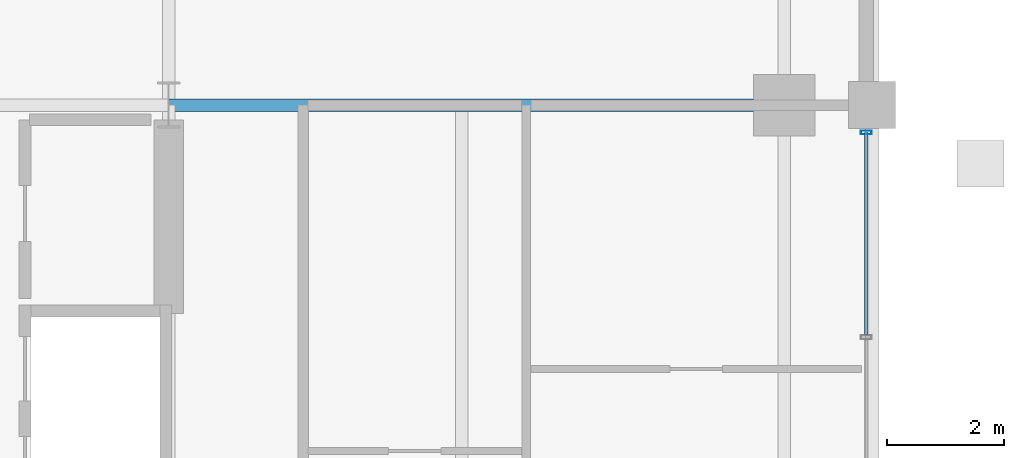
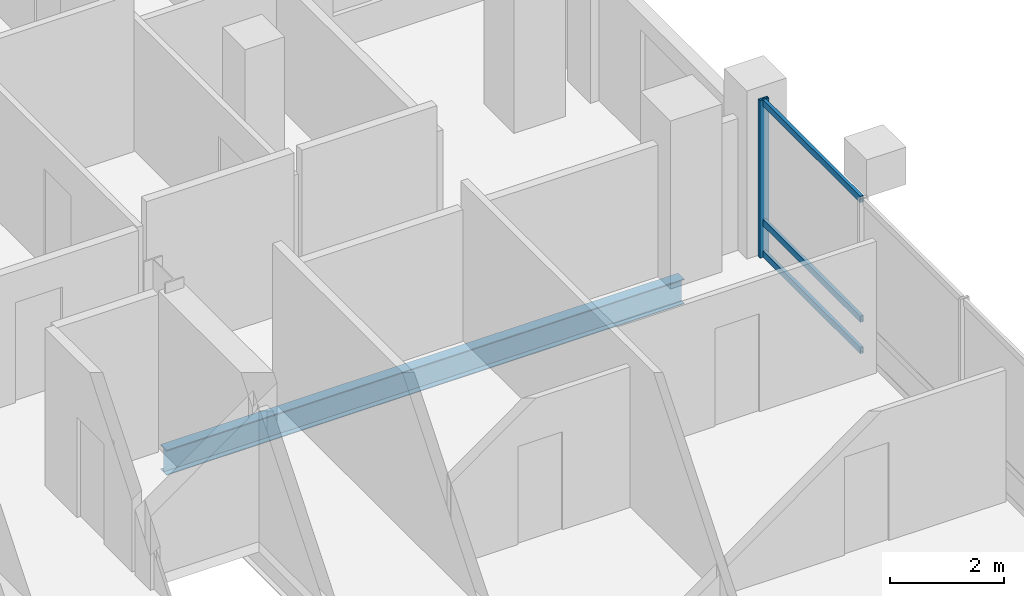
# One storey, part 11 of 24: 4 members, 1 beam, 1 element without a shape of its own.
"""IFC4 building model written with IfcOpenShell, lengths in metres."""

from ifc_helpers import new_model, si_unit, direction, frame, origin, origin_2d, place, context, subcontext, project, spatial, hollow_rectangle, i_section, extrude, material, layer, layer_set, material_profile, profile_set, type_object, element, aggregate, save


model = new_model("IFC4")

# Units and contexts
model_context = context("Model", 3, precision=1e-05, world=origin(), true_north=direction((0.0, 1.0)))
body_context = subcontext(model_context, "Body", "Model", "MODEL_VIEW")
ifc_project = project(units=[si_unit("LENGTHUNIT", "METRE"), si_unit("AREAUNIT", "SQUARE_METRE"), si_unit("VOLUMEUNIT", "CUBIC_METRE"), si_unit("PLANEANGLEUNIT", "RADIAN"), si_unit("MASSUNIT", "GRAM", prefix="KILO")], contexts=[model_context])

# Site, building, storey
site_placement = place(None, origin())
site = spatial("IfcSite", under=ifc_project, at=site_placement, CompositionType="ELEMENT")
building_placement = place(site_placement, origin())
building = spatial("IfcBuilding", under=site, at=building_placement, Name="Barlavira Tower and Art Museum", CompositionType="ELEMENT")
storey_placement = place(building_placement, frame((0.0, 0.0, 169.199951171875)))
storey = spatial("IfcBuildingStorey", under=building, at=storey_placement, Name="L43", CompositionType="ELEMENT", Elevation=169.199951171875)

# Curtain wall, members
ifc_material_1 = material(Name="Low-iron coastal laminated glass", Category="glass")
ifc_layer = layer(ifc_material_1, 0.199951171875, Name="Low-iron coastal laminated glass")
ifc_layer_set = layer_set([ifc_layer], Name="Low-iron coastal laminated glass")
curtain_wall_type = type_object("IfcCurtainWallType", Name="Pale-Metal Unitised Curtain Wall Zone 3", PredefinedType="NOTDEFINED", material=ifc_layer_set)
curtain_wall_placement = place(storey_placement, origin())
curtain_wall = element("IfcCurtainWall", 1, at=curtain_wall_placement, inside=storey, type_object=curtain_wall_type, Name="L43 Curtain Wall CW3-L43-E-B3", PredefinedType="NOTDEFINED")
ifc_material_2 = material(Name="Pale anodised aluminium", Category="aluminium")
ifc_material_profile_1 = material_profile(ifc_material_2, hollow_rectangle(XDim=0.06494140625, YDim=0.179931640625, WallThickness=0.00390625, at=origin_2d()), Name="ALU-MULL 65x180x4")
ifc_profile_set_1 = profile_set([ifc_material_profile_1], Name="Pale anodised aluminium")
member_type_1 = type_object("IfcMemberType", Name="Curtain Wall Pale-Metal Mullion 65x180", PredefinedType="MULLION", material=ifc_profile_set_1)
member_1_placement = place(storey_placement, frame((18.39990234375, 7.034912109375, 0.0), z_axis=(0.0, 0.0, 1.0), x_axis=(0.0, 1.0, 0.0)))
member_1 = element("IfcMember", 2, at=member_1_placement, type_object=member_type_1, Name="CW3-L43-E-B3 Mullion 4", PredefinedType="MULLION", context=body_context, shape_type="SweptSolid", body=[
    extrude(hollow_rectangle(XDim=0.06494140625, YDim=0.179931640625, WallThickness=0.00390625, at=origin_2d()), origin(), (0.0, 0.0, 1.0), 3.380126953125),
])
ifc_material_profile_2 = material_profile(ifc_material_2, hollow_rectangle(XDim=0.06494140625, YDim=0.139892578125, WallThickness=0.00390625, at=origin_2d()), Name="ALU-TRAN 65x140x4")
ifc_profile_set_2 = profile_set([ifc_material_profile_2], Name="Pale anodised aluminium")
member_type_2 = type_object("IfcMemberType", Name="Curtain Wall Pale-Metal Transom 65x140", PredefinedType="USERDEFINED", material=ifc_profile_set_2)
member_2_placement = place(storey_placement, frame((18.39990234375, 3.5849609375, 0.070068359375), z_axis=(0.0, 1.0, 0.0), x_axis=(-1.0, 0.0, 0.0)))
member_2 = element("IfcMember", 3, at=member_2_placement, type_object=member_type_2, Name="CW3-L43-E-B3 Transom 3.1", ObjectType="TRANSOM", PredefinedType="USERDEFINED", context=body_context, shape_type="SweptSolid", body=[
    extrude(hollow_rectangle(XDim=0.06494140625, YDim=0.139892578125, WallThickness=0.00390625, at=origin_2d()), origin(), (0.0, 0.0, 1.0), 3.449951171875),
])
member_3_placement = place(storey_placement, frame((18.39990234375, 3.5849609375, 0.744140625), z_axis=(0.0, 1.0, 0.0), x_axis=(-1.0, 0.0, 0.0)))
member_3 = element("IfcMember", 4, at=member_3_placement, type_object=member_type_2, Name="CW3-L43-E-B3 Transom 3.2", ObjectType="TRANSOM", PredefinedType="USERDEFINED", context=body_context, shape_type="SweptSolid", body=[
    extrude(hollow_rectangle(XDim=0.06494140625, YDim=0.139892578125, WallThickness=0.00390625, at=origin_2d()), origin(), (0.0, 0.0, 1.0), 3.449951171875),
])
member_4_placement = place(storey_placement, frame((18.39990234375, 3.5849609375, 3.31005859375), z_axis=(0.0, 1.0, 0.0), x_axis=(-1.0, 0.0, 0.0)))
member_4 = element("IfcMember", 5, at=member_4_placement, type_object=member_type_2, Name="CW3-L43-E-B3 Transom 3.3", ObjectType="TRANSOM", PredefinedType="USERDEFINED", context=body_context, shape_type="SweptSolid", body=[
    extrude(hollow_rectangle(XDim=0.06494140625, YDim=0.139892578125, WallThickness=0.00390625, at=origin_2d()), origin(), (0.0, 0.0, 1.0), 3.449951171875),
])
aggregate(curtain_wall, [member_1, member_2, member_3, member_4])

# Beam
ifc_material_3 = material(Name="Steel S355", Category="steel")
ifc_material_profile_3 = material_profile(ifc_material_3, i_section(OverallWidth=0.2109375, OverallDepth=0.5390625, WebThickness=0.01171875, FlangeThickness=0.018798828125, at=origin_2d()), Name="W530x109.0")
ifc_profile_set_3 = profile_set([ifc_material_profile_3], Name="Steel S355")
beam_type = type_object("IfcBeamType", Name="Zone 3-4 Primary Floor Girder W530x109 Steel S355", PredefinedType="BEAM", material=ifc_profile_set_3)
beam_placement = place(storey_placement, frame((6.5, 7.5, -0.489501953125), z_axis=(1.0, 0.0, 0.0), x_axis=(0.0, 1.0, 0.0)))
element("IfcBeam", 6, at=beam_placement, inside=storey, type_object=beam_type, Name="L43 Girder R-E2", PredefinedType="BEAM", context=body_context, shape_type="SweptSolid", body=[
    extrude(i_section(OverallWidth=0.2109375, OverallDepth=0.5390625, WebThickness=0.01171875, FlangeThickness=0.018798828125, at=origin_2d()), origin(), (0.0, 0.0, 1.0), 10.5),
])

save(model, "model.ifc")
